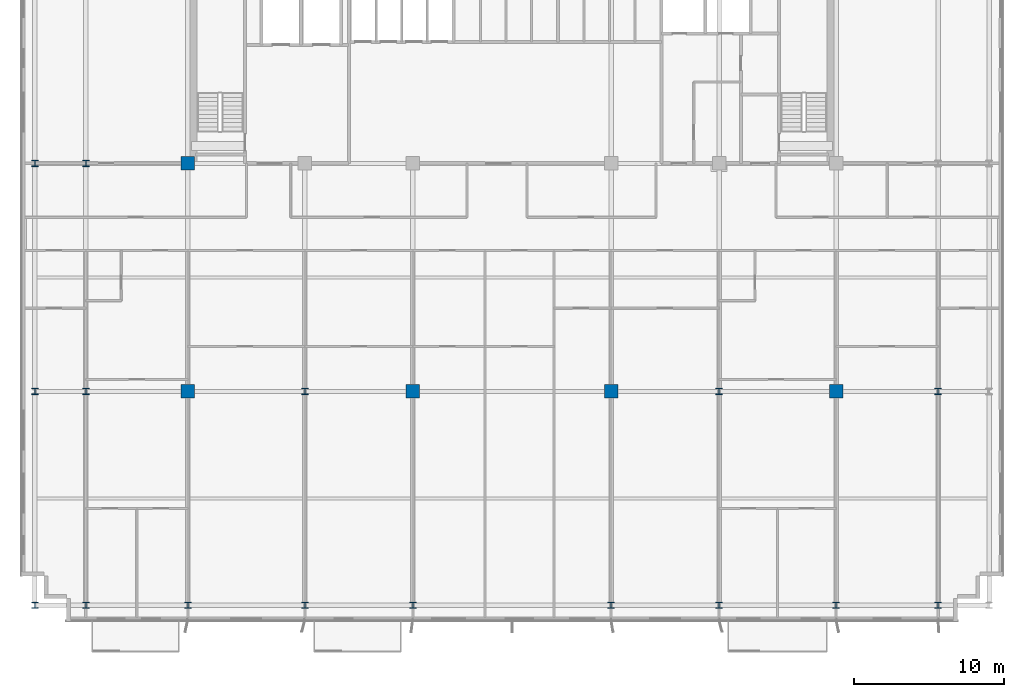
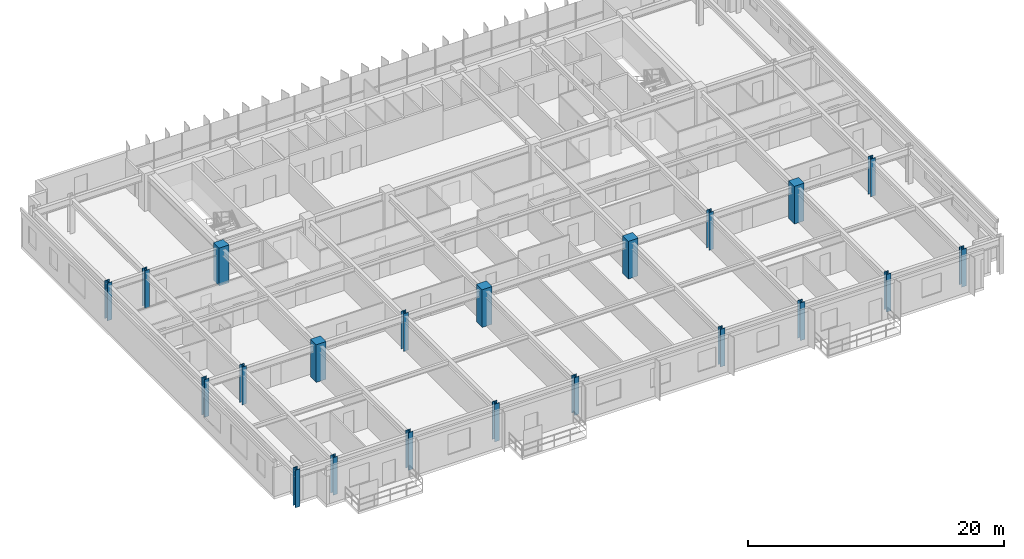
# One storey, part 1 of 22: 21 columns.
"""IFC4 building model written with IfcOpenShell, lengths in metres."""

from ifc_helpers import new_model, si_unit, direction, frame, origin, origin_2d, place, context, subcontext, project, spatial, rectangle, i_section, extrude, source, transform, mapped, material, material_profile, profile_set, type_object, element, save


model = new_model("IFC4")

# Units and contexts
model_context = context("Model", 3, precision=1e-05, world=origin(), true_north=direction((0.0, 1.0)))
body_context = subcontext(model_context, "Body", "Model", "MODEL_VIEW")
ifc_project = project(units=[si_unit("LENGTHUNIT", "METRE"), si_unit("AREAUNIT", "SQUARE_METRE"), si_unit("VOLUMEUNIT", "CUBIC_METRE"), si_unit("PLANEANGLEUNIT", "RADIAN"), si_unit("MASSUNIT", "GRAM", prefix="KILO")], contexts=[model_context])

# Site, building, storey
site_placement = place(None, origin())
site = spatial("IfcSite", under=ifc_project, at=site_placement, CompositionType="ELEMENT")
building_placement = place(site_placement, origin())
building = spatial("IfcBuilding", under=site, at=building_placement, Name="Trelvane Seafront Commons", CompositionType="ELEMENT")
storey_placement = place(building_placement, frame((0.0, 0.0, 55.89990234375)))
storey = spatial("IfcBuildingStorey", under=building, at=storey_placement, Name="L14", CompositionType="ELEMENT", Elevation=55.89990234375)

# Columns
ifc_material_1 = material(Name="Steel SM355 (S355)", Category="steel")
ifc_material_profile_1 = material_profile(ifc_material_1, i_section(OverallWidth=0.419921875, OverallDepth=0.419921875, WebThickness=0.02587890625, FlangeThickness=0.0400390625, at=origin_2d()), Name="HD-420x420x26x40")
ifc_profile_set_1 = profile_set([ifc_material_profile_1], Name="Steel SM355 (S355)")
column_type_1 = type_object("IfcColumnType", Name="STR-COL-HD420", PredefinedType="COLUMN", material=ifc_profile_set_1)
shared_shape_1 = source(origin(), body_context, "Body", "SweptSolid", [
    extrude(i_section(OverallWidth=0.419921875, OverallDepth=0.419921875, WebThickness=0.02587890625, FlangeThickness=0.0400390625, at=origin_2d()), origin(), (0.0, 0.0, 1.0), 3.60009765625),
])
for number, where, z_axis, x_axis, name in (
    (1, (5.39990234375, 3.949951171875, 0.0), (0.0, 0.0, 1.0), (1.0, 0.0, 0.0), "L14 Column TC-S5.4"),
    (2, (5.39990234375, 18.199951171875, 0.0), (0.0, 0.0, 1.0), (1.0, 0.0, 0.0), "L14 Column TC-M5.4"),
    (3, (5.39990234375, 33.39990234375, 0.0), (0.0, 0.0, 1.0), (1.0, 0.0, 0.0), "L14 Column TC-CS5.4"),
    (4, (8.800048828125, 3.949951171875, 0.0), (0.0, 0.0, 1.0), (1.0, 0.0, 0.0), "L14 Column TC-S8.8"),
    (5, (8.800048828125, 18.199951171875, 0.0), (0.0, 0.0, 1.0), (1.0, 0.0, 0.0), "L14 Column TC-M8.8"),
    (6, (8.800048828125, 33.39990234375, 0.0), (0.0, 0.0, 1.0), (1.0, 0.0, 0.0), "L14 Column TC-CS8.8"),
    (7, (15.60009765625, 3.949951171875, 0.0), (0.0, 0.0, 1.0), (1.0, 0.0, 0.0), "L14 Column TC-S15.6"),
    (8, (23.39990234375, 3.949951171875, 0.0), (0.0, 0.0, 1.0), (1.0, 0.0, 0.0), "L14 Column TC-S23.4"),
    (9, (23.39990234375, 18.199951171875, 0.0), (0.0, 0.0, 1.0), (1.0, 0.0, 0.0), "L14 Column TC-M23.4"),
    (10, (30.60009765625, 3.949951171875, 0.0), (0.0, 0.0, 1.0), (1.0, 0.0, 0.0), "L14 Column TC-S30.6"),
    (11, (43.800048828125, 3.949951171875, 0.0), (0.0, 0.0, 1.0), (1.0, 0.0, 0.0), "L14 Column TC-S43.8"),
    (12, (51.0, 3.949951171875, 0.0), (0.0, 0.0, 1.0), (1.0, 0.0, 0.0), "L14 Column TC-S51.0"),
    (13, (51.0, 18.199951171875, 0.0), (0.0, 0.0, 1.0), (1.0, 0.0, 0.0), "L14 Column TC-M51.0"),
    (14, (58.800048828125, 3.949951171875, 0.0), (0.0, 0.0, 1.0), (1.0, 0.0, 0.0), "L14 Column TC-S58.8"),
    (15, (65.60009765625, 3.949951171875, 0.0), (0.0, 0.0, 1.0), (1.0, 0.0, 0.0), "L14 Column TC-S65.6"),
    (16, (65.60009765625, 18.199951171875, 0.0), (0.0, 0.0, 1.0), (1.0, 0.0, 0.0), "L14 Column TC-M65.6"),
):
    element("IfcColumn", number, at=place(storey_placement, frame(where, z_axis=z_axis, x_axis=x_axis)), inside=storey, type_object=column_type_1, Name=name, PredefinedType="COLUMN", context=body_context, shape_type="MappedRepresentation", body=[
        mapped(shared_shape_1, transform((0.0, 0.0, 0.0), x_axis=(1.0, 0.0, 0.0), y_axis=(0.0, 1.0, 0.0), z_axis=(0.0, 0.0, 1.0), scale=1.0)),
    ])
ifc_material_2 = material(Name="Concrete C60/75", Category="concrete")
ifc_material_profile_2 = material_profile(ifc_material_2, rectangle(XDim=0.89990234375, YDim=0.89990234375, at=origin_2d()), Name="RC-900x900")
ifc_profile_set_2 = profile_set([ifc_material_profile_2], Name="Concrete C60/75")
column_type_2 = type_object("IfcColumnType", Name="STR-COL-RC900", PredefinedType="COLUMN", material=ifc_profile_set_2)
shared_shape_2 = source(origin(), body_context, "Body", "SweptSolid", [
    extrude(rectangle(XDim=0.89990234375, YDim=0.89990234375, at=origin_2d()), origin(), (0.0, 0.0, 1.0), 3.60009765625),
])
for number, where, z_axis, x_axis, name in (
    (17, (15.60009765625, 18.199951171875, 0.0), (0.0, 0.0, 1.0), (1.0, 0.0, 0.0), "L14 Column TC-M15.6"),
    (18, (15.60009765625, 33.39990234375, 0.0), (0.0, 0.0, 1.0), (1.0, 0.0, 0.0), "L14 Column TC-CS15.6"),
    (19, (30.60009765625, 18.199951171875, 0.0), (0.0, 0.0, 1.0), (1.0, 0.0, 0.0), "L14 Column TC-M30.6"),
    (20, (43.800048828125, 18.199951171875, 0.0), (0.0, 0.0, 1.0), (1.0, 0.0, 0.0), "L14 Column TC-M43.8"),
    (21, (58.800048828125, 18.199951171875, 0.0), (0.0, 0.0, 1.0), (1.0, 0.0, 0.0), "L14 Column TC-M58.8"),
):
    element("IfcColumn", number, at=place(storey_placement, frame(where, z_axis=z_axis, x_axis=x_axis)), inside=storey, type_object=column_type_2, Name=name, PredefinedType="COLUMN", context=body_context, shape_type="MappedRepresentation", body=[
        mapped(shared_shape_2, transform((0.0, 0.0, 0.0), x_axis=(1.0, 0.0, 0.0), y_axis=(0.0, 1.0, 0.0), z_axis=(0.0, 0.0, 1.0), scale=1.0)),
    ])

save(model, "model.ifc")
